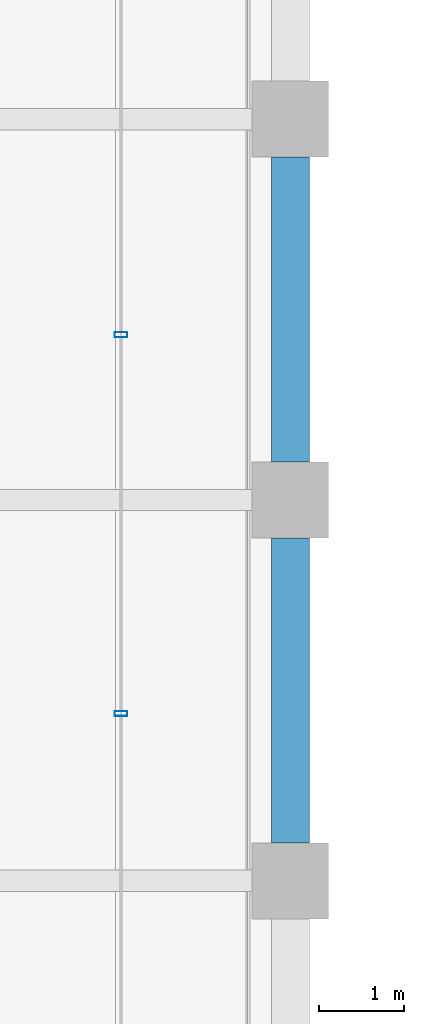
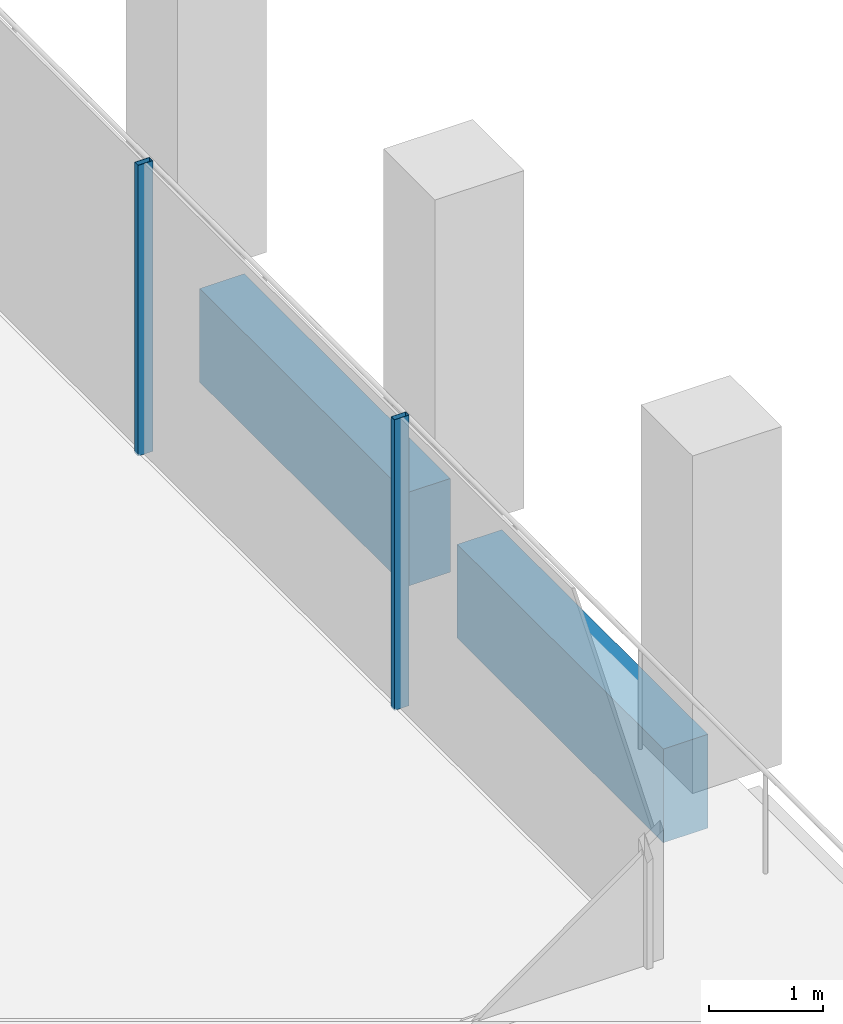
# One storey, part 15 of 40: 2 beams, 2 members, 1 element without a shape of its own.
"""IFC4 building model written with IfcOpenShell, lengths in metres."""

import ifcopenshell
import ifcopenshell.guid

model = None  # the IFC model being written
_history = None  # IfcOwnerHistory: only IFC2X3 demands one
_inside = {}  # id of a spatial element -> (the spatial element, [elements in it])
_under = {}  # id of a project, library or spatial element -> (it, [spatial elements below it])
_declared = {}  # id of a project -> (the project, [libraries it declares])
_typed = {}  # id of a type object -> (the type object, [elements of that type])
_made_of = {}  # id of a material, layer set ... -> (it, [elements and type objects made of it])


def new_model(schema):
    """Start an empty IFC model of exactly this schema.

    Asked for "IFC4X3", IfcOpenShell would pick the latest addendum, in which some entities
    have other attributes; the version numbers below select the first issue.
    IFC2X3 requires an IfcOwnerHistory on every rooted entity: one is made here for all.
    """
    global model, _history
    if schema == "IFC4X3":
        model = ifcopenshell.file(schema_version=(4, 3, 0, 0))
    else:
        model = ifcopenshell.file(schema=schema)
    _inside.clear()
    _under.clear()
    _declared.clear()
    _typed.clear()
    _made_of.clear()
    _history = None
    if model.schema == "IFC2X3":
        org = make("IfcOrganization", Name="unknown")
        user = make(
            "IfcPersonAndOrganization",
            ThePerson=make("IfcPerson", FamilyName="unknown"),
            TheOrganization=org,
        )
        app = make(
            "IfcApplication",
            ApplicationDeveloper=org,
            Version="unknown",
            ApplicationFullName="unknown",
            ApplicationIdentifier="unknown",
        )
        _history = make(
            "IfcOwnerHistory",
            OwningUser=user,
            OwningApplication=app,
            ChangeAction="ADDED",
            CreationDate=0,
        )
    return model


def make(cls, **values):
    """One entity of the class cls with the attributes given. An attribute that is None is left unset."""
    return model.create_entity(
        cls, **{name: value for name, value in values.items() if value is not None}
    )


def rooted(cls, **values):
    """An entity with a GlobalId (a new one), such as an element, a storey or a relation."""
    return make(cls, GlobalId=ifcopenshell.guid.new(), OwnerHistory=_history, **values)


def si_unit(unit_type, name, prefix=None):
    """IfcSIUnit, for example si_unit("LENGTHUNIT", "METRE", prefix="MILLI")."""
    return make("IfcSIUnit", UnitType=unit_type, Prefix=prefix, Name=name)


def assignment(units):
    """IfcUnitAssignment: the units of a project."""
    return None if units is None else make("IfcUnitAssignment", Units=units)


def point(xyz):
    """IfcCartesianPoint."""
    return None if xyz is None else make("IfcCartesianPoint", Coordinates=xyz)


def direction(xyz):
    """IfcDirection."""
    return None if xyz is None else make("IfcDirection", DirectionRatios=xyz)


def frame(location, z_axis=None, x_axis=None):
    """IfcAxis2Placement3D, a coordinate frame: its origin and axes. An axis left out is left unset."""
    return make(
        "IfcAxis2Placement3D",
        Location=point(location),
        Axis=direction(z_axis),
        RefDirection=direction(x_axis),
    )


def frame_2d(location, x_axis=None):
    """IfcAxis2Placement2D, a coordinate frame in the plane: its origin and x axis."""
    return make(
        "IfcAxis2Placement2D", Location=point(location), RefDirection=direction(x_axis)
    )


def origin():
    """The frame at (0, 0, 0) with its axes left unset."""
    return frame((0.0, 0.0, 0.0))


def origin_2d():
    """The frame at (0, 0) in the plane with its x axis left unset."""
    return frame_2d((0.0, 0.0))


def place(relative_to, where):
    """IfcLocalPlacement: puts the frame where relative to a parent placement (None: the world)."""
    return make(
        "IfcLocalPlacement", PlacementRelTo=relative_to, RelativePlacement=where
    )


def context(
    kind, dimensions, precision=None, world=None, true_north=None, identifier=None
):
    """IfcGeometricRepresentationContext, for example the 3D "Model" context."""
    return make(
        "IfcGeometricRepresentationContext",
        ContextIdentifier=identifier,
        ContextType=kind,
        CoordinateSpaceDimension=dimensions,
        Precision=precision,
        WorldCoordinateSystem=world,
        TrueNorth=true_north,
    )


def subcontext(parent, identifier, kind, view, scale=None):
    """IfcGeometricRepresentationSubContext, for example "Body" below "Model"."""
    return make(
        "IfcGeometricRepresentationSubContext",
        ContextIdentifier=identifier,
        ContextType=kind,
        ParentContext=parent,
        TargetScale=scale,
        TargetView=view,
    )


def project(units=None, contexts=None):
    """IfcProject with its units and contexts."""
    return rooted(
        "IfcProject",
        Name="project",
        RepresentationContexts=contexts,
        UnitsInContext=assignment(units),
    )


def spatial(cls, under=None, at=None, **own):
    """A site, building, storey or space (cls), placed at a placement, below another one or the project."""
    s = rooted(cls, ObjectPlacement=at, **own)
    if under is not None:
        _under.setdefault(under.id(), (under, []))[1].append(s)
    return s


def profile(cls, at=None, kind="AREA", **sizes):
    """A parametric profile (cls). Its sizes go by their IFC names, for example OverallWidth=200.0."""
    return make(cls, ProfileType=kind, Position=at, **sizes)


def rectangle(**sizes):
    """IfcRectangleProfileDef."""
    return profile("IfcRectangleProfileDef", **sizes)


def hollow_rectangle(**sizes):
    """IfcRectangleHollowProfileDef."""
    return profile("IfcRectangleHollowProfileDef", **sizes)


def extrude(swept, where, along, depth):
    """IfcExtrudedAreaSolid: the profile swept, set in the frame where, extruded along a direction by depth."""
    return make(
        "IfcExtrudedAreaSolid",
        SweptArea=swept,
        Position=where,
        ExtrudedDirection=direction(along),
        Depth=depth,
    )


def shape(context_of_items, identifier, shape_type, items):
    """IfcShapeRepresentation: the items that make up one representation, for example the "Body"."""
    return make(
        "IfcShapeRepresentation",
        ContextOfItems=context_of_items,
        RepresentationIdentifier=identifier,
        RepresentationType=shape_type,
        Items=items,
    )


def material(Name=None, Category=None):
    """IfcMaterial."""
    return make("IfcMaterial", Name=Name, Category=Category)


def material_profile(
    of_material, cross_section, Name=None, Category=None, Priority=None
):
    """IfcMaterialProfile: a cross section and its material."""
    return make(
        "IfcMaterialProfile",
        Name=Name,
        Material=of_material,
        Profile=cross_section,
        Priority=Priority,
        Category=Category,
    )


def profile_set(profiles, Name=None, composite=None):
    """IfcMaterialProfileSet."""
    return make(
        "IfcMaterialProfileSet",
        Name=Name,
        MaterialProfiles=profiles,
        CompositeProfile=composite,
    )


def made_of(thing, what):
    """Note that an element or type object is made of a material, layer set ...; save() writes the relation."""
    if what is not None:
        _made_of.setdefault(what.id(), (what, []))[1].append(thing)
    return thing


def type_object(cls, material=None, **own):
    """A type object (cls), such as IfcWallType, which elements share."""
    return made_of(rooted(cls, **own), material)


def element(
    cls,
    number,
    at=None,
    inside=None,
    cuts=None,
    type_object=None,
    material=None,
    context=None,
    identifier="Body",
    shape_type=None,
    held_by="IfcProductDefinitionShape",
    body=None,
    shapes=None,
    **own,
):
    """One element of the class cls, such as IfcWall. Its Tag is "e" and its number.

    at: its placement. inside: the storey or other place that contains it. cuts: it is an
    opening in that element (IfcRelVoidsElement). A single representation is given by context,
    identifier, shape_type and body (its items); several are given by shapes. held_by: the class
    of the entity that holds the representations. save() writes the other relations.
    """
    e = rooted(cls, Tag="e%d" % number, ObjectPlacement=at, **own)
    if body is not None:
        shapes = [shape(context, identifier, shape_type, body)]
    if shapes is not None:
        e.Representation = make(held_by, Representations=shapes)
    if inside is not None:
        _inside.setdefault(inside.id(), (inside, []))[1].append(e)
    if cuts is not None:
        rooted(
            "IfcRelVoidsElement", RelatingBuildingElement=cuts, RelatedOpeningElement=e
        )
    if type_object is not None:
        _typed.setdefault(type_object.id(), (type_object, []))[1].append(e)
    return made_of(e, material)


def aggregate(whole, parts):
    """IfcRelAggregates: a whole, such as a stair, and the parts it consists of."""
    return rooted("IfcRelAggregates", RelatingObject=whole, RelatedObjects=parts)


def save(model, path):
    """Write the relations noted so far, then the file.

    IfcRelAggregates (storeys below a building ...), IfcRelContainedInSpatialStructure (elements
    in a storey), IfcRelDefinesByType, IfcRelAssociatesMaterial and IfcRelDeclares: one each for
    every whole, place, type object, material and project.
    """
    for whole, parts in _under.values():
        aggregate(whole, parts)
    for where, things in _inside.values():
        rooted(
            "IfcRelContainedInSpatialStructure",
            RelatedElements=things,
            RelatingStructure=where,
        )
    for kind, things in _typed.values():
        rooted("IfcRelDefinesByType", RelatedObjects=things, RelatingType=kind)
    for what, things in _made_of.values():
        rooted("IfcRelAssociatesMaterial", RelatedObjects=things, RelatingMaterial=what)
    for by, libraries in _declared.values():
        rooted("IfcRelDeclares", RelatingContext=by, RelatedDefinitions=libraries)
    model.write(path)


model = new_model("IFC4")

# Units and contexts
model_context = context("Model", 3, precision=1e-05, world=origin(), true_north=direction((0.0, 1.0)))
body_context = subcontext(model_context, "Body", "Model", "MODEL_VIEW")
ifc_project = project(units=[si_unit("LENGTHUNIT", "METRE"), si_unit("AREAUNIT", "SQUARE_METRE"), si_unit("VOLUMEUNIT", "CUBIC_METRE"), si_unit("PLANEANGLEUNIT", "RADIAN"), si_unit("MASSUNIT", "GRAM", prefix="KILO")], contexts=[model_context])

# Site, building, storey
site_placement = place(None, origin())
site = spatial("IfcSite", under=ifc_project, at=site_placement, CompositionType="ELEMENT")
building_placement = place(site_placement, origin())
building = spatial("IfcBuilding", under=site, at=building_placement, Name="Altepetl Exchange Towers", CompositionType="ELEMENT")
storey_placement = place(building_placement, frame((0.0, 0.0, 154.60009765625)))
storey = spatial("IfcBuildingStorey", under=building, at=storey_placement, Name="L38", CompositionType="ELEMENT", Elevation=154.60009765625)

# Curtain wall, members
ifc_material_1 = material(Name="Aluminium 6063-T6 glazing", Category="aluminium")
curtain_wall_type = type_object("IfcCurtainWallType", Name="Loggia glazing system", PredefinedType="NOTDEFINED", material=ifc_material_1)
curtain_wall_placement = place(storey_placement, origin())
curtain_wall = element("IfcCurtainWall", 1, at=curtain_wall_placement, inside=storey, type_object=curtain_wall_type, Name="CW1 run", PredefinedType="NOTDEFINED")
ifc_material_2 = material(Name="Aluminium 6063-T6", Category="aluminium")
ifc_material_profile_1 = material_profile(ifc_material_2, hollow_rectangle(XDim=0.06005859375, YDim=0.14990234375, WallThickness=0.0029296875, at=origin_2d()), Name="Mullion 60x150 aluminium")
ifc_profile_set_1 = profile_set([ifc_material_profile_1], Name="Aluminium 6063-T6")
member_type = type_object("IfcMemberType", Name="Mullion 60x150 aluminium", PredefinedType="MULLION", material=ifc_profile_set_1)
member_1_placement = place(storey_placement, frame((70.0, 37.97607421875, 0.0), z_axis=(0.0, 0.0, 1.0), x_axis=(0.0, 1.0, 0.0)))
member_1 = element("IfcMember", 2, at=member_1_placement, type_object=member_type, Name="MU1 mullion", PredefinedType="MULLION", context=body_context, shape_type="SweptSolid", body=[
    extrude(hollow_rectangle(XDim=0.06005859375, YDim=0.14990234375, WallThickness=0.0029296875, at=origin_2d()), origin(), (0.0, 0.0, 1.0), 3.099853515625),
])
member_2_placement = place(storey_placement, frame((70.0, 42.451904296875, 0.0), z_axis=(0.0, 0.0, 1.0), x_axis=(0.0, 1.0, 0.0)))
member_2 = element("IfcMember", 3, at=member_2_placement, type_object=member_type, Name="MU1 mullion", PredefinedType="MULLION", context=body_context, shape_type="SweptSolid", body=[
    extrude(hollow_rectangle(XDim=0.06005859375, YDim=0.14990234375, WallThickness=0.0029296875, at=origin_2d()), origin(), (0.0, 0.0, 1.0), 3.099853515625),
])
aggregate(curtain_wall, [member_1, member_2])

# Beams
ifc_material_3 = material(Name="Concrete C50/60 precast with cantera amarilla facing", Category="concrete")
ifc_material_profile_2 = material_profile(ifc_material_3, rectangle(XDim=0.449951171875, YDim=1.0, at=origin_2d()), Name="450 x 1000")
ifc_profile_set_2 = profile_set([ifc_material_profile_2], Name="Concrete C50/60 precast with cantera amarilla facing")
beam_type = type_object("IfcBeamType", Name="Spandrel beam 450x1000 cantera amarilla", PredefinedType="SPANDREL", material=ifc_profile_set_2)
for number, where, z_axis, x_axis, name in (
    (4, (72.0, 36.449951171875, -0.650146484375), (0.0, 1.0, 0.0), (-1.0, 0.0, 0.0), "sp:A:L38:013"),
    (5, (72.0, 40.949951171875, -0.650146484375), (0.0, 1.0, 0.0), (-1.0, 0.0, 0.0), "sp:A:L38:014"),
):
    element("IfcBeam", number, at=place(storey_placement, frame(where, z_axis=z_axis, x_axis=x_axis)), inside=storey, type_object=beam_type, Name=name, PredefinedType="SPANDREL", context=body_context, shape_type="SweptSolid", body=[
        extrude(rectangle(XDim=0.449951171875, YDim=1.0, at=origin_2d()), origin(), (0.0, 0.0, 1.0), 3.60009765625),
    ])

save(model, "model.ifc")
